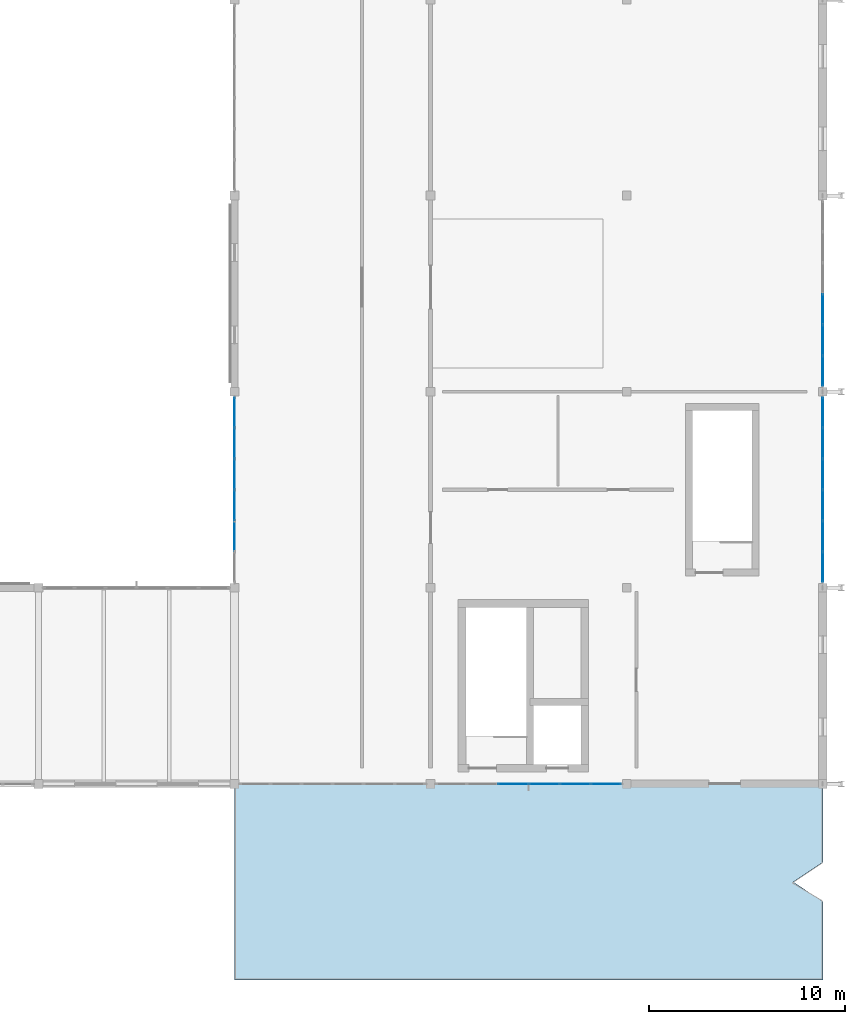
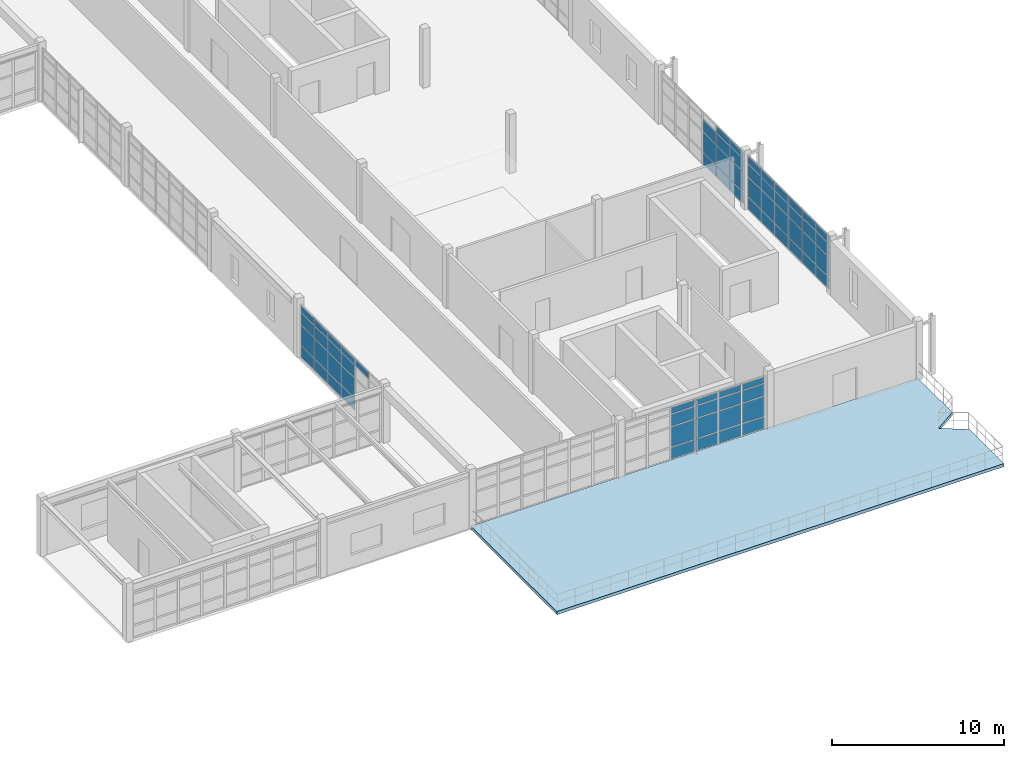
# One storey, part 90 of 122: 68 plates, 1 slab, 4 elements without a shape of their own.
"""IFC4 building model written with IfcOpenShell, lengths in metres."""

from ifc_helpers import new_model, si_unit, direction, frame, origin, origin_2d, place, context, subcontext, project, spatial, polyline, rectangle, outline, extrude, material, layer, layer_set, type_object, element, aggregate, save


model = new_model("IFC4")

# Units and contexts
model_context = context("Model", 3, precision=1e-05, world=origin(), true_north=direction((0.0, 1.0)))
body_context = subcontext(model_context, "Body", "Model", "MODEL_VIEW")
ifc_project = project(units=[si_unit("LENGTHUNIT", "METRE"), si_unit("AREAUNIT", "SQUARE_METRE"), si_unit("VOLUMEUNIT", "CUBIC_METRE"), si_unit("PLANEANGLEUNIT", "RADIAN"), si_unit("MASSUNIT", "GRAM", prefix="KILO"), si_unit("THERMODYNAMICTEMPERATUREUNIT", "KELVIN"), si_unit("POWERUNIT", "WATT")], contexts=[model_context])

# Site, building, storey
site_placement = place(None, origin())
site = spatial("IfcSite", under=ifc_project, at=site_placement, CompositionType="ELEMENT")
building_placement = place(site_placement, origin())
building = spatial("IfcBuilding", under=site, at=building_placement, Name="Korenveer Ferry Terminal", CompositionType="ELEMENT")
storey_placement = place(building_placement, frame((0.0, 0.0, 10.199951171875)))
storey = spatial("IfcBuildingStorey", under=building, at=storey_placement, Name="L02", CompositionType="ELEMENT", Elevation=10.199951171875)

# Curtain wall, plates
ifc_material_1 = material(Name="Unitised bronze-and-glass curtain wall", Category="glass")
ifc_layer_1 = layer(ifc_material_1, 0.159912109375)
ifc_layer_set_1 = layer_set([ifc_layer_1], Name="Unitised bronze-and-glass curtain wall")
curtain_wall_type_1 = type_object("IfcCurtainWallType", Name="ENV-CW-87", PredefinedType="USERDEFINED", material=ifc_layer_set_1)
curtain_wall_1_placement = place(storey_placement, frame((156.2548828125, 20.0, 0.0)))
curtain_wall_1 = element("IfcCurtainWall", 1, at=curtain_wall_1_placement, inside=storey, type_object=curtain_wall_type_1, Name="Lancet curtain wall CWX-L02-X156-166-Y20-20", ObjectType="UNITISED CURTAIN WALL", PredefinedType="USERDEFINED")
ifc_material_2 = material(Name="Low-iron solar-control double glazing", Category="glass")
ifc_layer_2 = layer(ifc_material_2, 0.028076171875)
ifc_layer_set_2 = layer_set([ifc_layer_2], Name="Low-iron solar-control double glazing")
plate_type = type_object("IfcPlateType", Name="ENV-CWP-GLZ28", PredefinedType="CURTAIN_PANEL", material=ifc_layer_set_2)
plate_1_placement = place(storey_placement, frame((160.209228515625, 20.0, 0.06005859375), z_axis=(0.0, 0.0, 1.0), x_axis=(1.0, 0.0, 0.0)))
plate_1 = element("IfcPlate", 2, at=plate_1_placement, type_object=plate_type, Name="CW-87 panel 3.1", PredefinedType="CURTAIN_PANEL", context=body_context, shape_type="SweptSolid", body=[
    extrude(rectangle(XDim=1.521728515625, YDim=0.028076171875, at=origin_2d()), origin(), (0.0, 0.0, 1.0), 0.81005859375),
])
plate_2_placement = place(storey_placement, frame((160.209228515625, 20.0, 0.93017578125), z_axis=(0.0, 0.0, 1.0), x_axis=(1.0, 0.0, 0.0)))
plate_2 = element("IfcPlate", 3, at=plate_2_placement, type_object=plate_type, Name="CW-87 panel 3.2", PredefinedType="CURTAIN_PANEL", context=body_context, shape_type="SweptSolid", body=[
    extrude(rectangle(XDim=1.521728515625, YDim=0.028076171875, at=origin_2d()), origin(), (0.0, 0.0, 1.0), 1.389892578125),
])
plate_3_placement = place(storey_placement, frame((160.209228515625, 20.0, 2.3798828125), z_axis=(0.0, 0.0, 1.0), x_axis=(1.0, 0.0, 0.0)))
plate_3 = element("IfcPlate", 4, at=plate_3_placement, type_object=plate_type, Name="CW-87 panel 3.3", PredefinedType="CURTAIN_PANEL", context=body_context, shape_type="SweptSolid", body=[
    extrude(rectangle(XDim=1.521728515625, YDim=0.028076171875, at=origin_2d()), origin(), (0.0, 0.0, 1.0), 0.840087890625),
])
plate_4_placement = place(storey_placement, frame((160.209228515625, 20.0, 3.280029296875), z_axis=(0.0, 0.0, 1.0), x_axis=(1.0, 0.0, 0.0)))
plate_4 = element("IfcPlate", 5, at=plate_4_placement, type_object=plate_type, Name="CW-87 panel 3.4", PredefinedType="CURTAIN_PANEL", context=body_context, shape_type="SweptSolid", body=[
    extrude(rectangle(XDim=1.521728515625, YDim=0.028076171875, at=origin_2d()), origin(), (0.0, 0.0, 1.0), 0.419921875),
])
plate_5_placement = place(storey_placement, frame((161.790771484375, 20.0, 0.06005859375), z_axis=(0.0, 0.0, 1.0), x_axis=(1.0, 0.0, 0.0)))
plate_5 = element("IfcPlate", 6, at=plate_5_placement, type_object=plate_type, Name="CW-87 panel 4.1", PredefinedType="CURTAIN_PANEL", context=body_context, shape_type="SweptSolid", body=[
    extrude(rectangle(XDim=1.521728515625, YDim=0.028076171875, at=origin_2d()), origin(), (0.0, 0.0, 1.0), 0.81005859375),
])
plate_6_placement = place(storey_placement, frame((161.790771484375, 20.0, 0.93017578125), z_axis=(0.0, 0.0, 1.0), x_axis=(1.0, 0.0, 0.0)))
plate_6 = element("IfcPlate", 7, at=plate_6_placement, type_object=plate_type, Name="CW-87 panel 4.2", PredefinedType="CURTAIN_PANEL", context=body_context, shape_type="SweptSolid", body=[
    extrude(rectangle(XDim=1.521728515625, YDim=0.028076171875, at=origin_2d()), origin(), (0.0, 0.0, 1.0), 1.389892578125),
])
plate_7_placement = place(storey_placement, frame((161.790771484375, 20.0, 2.3798828125), z_axis=(0.0, 0.0, 1.0), x_axis=(1.0, 0.0, 0.0)))
plate_7 = element("IfcPlate", 8, at=plate_7_placement, type_object=plate_type, Name="CW-87 panel 4.3", PredefinedType="CURTAIN_PANEL", context=body_context, shape_type="SweptSolid", body=[
    extrude(rectangle(XDim=1.521728515625, YDim=0.028076171875, at=origin_2d()), origin(), (0.0, 0.0, 1.0), 0.840087890625),
])
plate_8_placement = place(storey_placement, frame((161.790771484375, 20.0, 3.280029296875), z_axis=(0.0, 0.0, 1.0), x_axis=(1.0, 0.0, 0.0)))
plate_8 = element("IfcPlate", 9, at=plate_8_placement, type_object=plate_type, Name="CW-87 panel 4.4", PredefinedType="CURTAIN_PANEL", context=body_context, shape_type="SweptSolid", body=[
    extrude(rectangle(XDim=1.521728515625, YDim=0.028076171875, at=origin_2d()), origin(), (0.0, 0.0, 1.0), 0.419921875),
])
plate_9_placement = place(storey_placement, frame((163.37255859375, 20.0, 0.06005859375), z_axis=(0.0, 0.0, 1.0), x_axis=(1.0, 0.0, 0.0)))
plate_9 = element("IfcPlate", 10, at=plate_9_placement, type_object=plate_type, Name="CW-87 panel 5.1", PredefinedType="CURTAIN_PANEL", context=body_context, shape_type="SweptSolid", body=[
    extrude(rectangle(XDim=1.521728515625, YDim=0.028076171875, at=origin_2d()), origin(), (0.0, 0.0, 1.0), 0.81005859375),
])
plate_10_placement = place(storey_placement, frame((163.37255859375, 20.0, 0.93017578125), z_axis=(0.0, 0.0, 1.0), x_axis=(1.0, 0.0, 0.0)))
plate_10 = element("IfcPlate", 11, at=plate_10_placement, type_object=plate_type, Name="CW-87 panel 5.2", PredefinedType="CURTAIN_PANEL", context=body_context, shape_type="SweptSolid", body=[
    extrude(rectangle(XDim=1.521728515625, YDim=0.028076171875, at=origin_2d()), origin(), (0.0, 0.0, 1.0), 1.389892578125),
])
plate_11_placement = place(storey_placement, frame((163.37255859375, 20.0, 2.3798828125), z_axis=(0.0, 0.0, 1.0), x_axis=(1.0, 0.0, 0.0)))
plate_11 = element("IfcPlate", 12, at=plate_11_placement, type_object=plate_type, Name="CW-87 panel 5.3", PredefinedType="CURTAIN_PANEL", context=body_context, shape_type="SweptSolid", body=[
    extrude(rectangle(XDim=1.521728515625, YDim=0.028076171875, at=origin_2d()), origin(), (0.0, 0.0, 1.0), 0.840087890625),
])
plate_12_placement = place(storey_placement, frame((163.37255859375, 20.0, 3.280029296875), z_axis=(0.0, 0.0, 1.0), x_axis=(1.0, 0.0, 0.0)))
plate_12 = element("IfcPlate", 13, at=plate_12_placement, type_object=plate_type, Name="CW-87 panel 5.4", PredefinedType="CURTAIN_PANEL", context=body_context, shape_type="SweptSolid", body=[
    extrude(rectangle(XDim=1.521728515625, YDim=0.028076171875, at=origin_2d()), origin(), (0.0, 0.0, 1.0), 0.419921875),
])
plate_13_placement = place(storey_placement, frame((164.939208984375, 20.0, 0.06005859375), z_axis=(0.0, 0.0, 1.0), x_axis=(1.0, 0.0, 0.0)))
plate_13 = element("IfcPlate", 14, at=plate_13_placement, type_object=plate_type, Name="CW-87 panel 6.1", PredefinedType="CURTAIN_PANEL", context=body_context, shape_type="SweptSolid", body=[
    extrude(rectangle(XDim=1.49169921875, YDim=0.028076171875, at=origin_2d()), origin(), (0.0, 0.0, 1.0), 0.81005859375),
])
plate_14_placement = place(storey_placement, frame((164.939208984375, 20.0, 0.93017578125), z_axis=(0.0, 0.0, 1.0), x_axis=(1.0, 0.0, 0.0)))
plate_14 = element("IfcPlate", 15, at=plate_14_placement, type_object=plate_type, Name="CW-87 panel 6.2", PredefinedType="CURTAIN_PANEL", context=body_context, shape_type="SweptSolid", body=[
    extrude(rectangle(XDim=1.49169921875, YDim=0.028076171875, at=origin_2d()), origin(), (0.0, 0.0, 1.0), 1.389892578125),
])
plate_15_placement = place(storey_placement, frame((164.939208984375, 20.0, 2.3798828125), z_axis=(0.0, 0.0, 1.0), x_axis=(1.0, 0.0, 0.0)))
plate_15 = element("IfcPlate", 16, at=plate_15_placement, type_object=plate_type, Name="CW-87 panel 6.3", PredefinedType="CURTAIN_PANEL", context=body_context, shape_type="SweptSolid", body=[
    extrude(rectangle(XDim=1.49169921875, YDim=0.028076171875, at=origin_2d()), origin(), (0.0, 0.0, 1.0), 0.840087890625),
])
plate_16_placement = place(storey_placement, frame((164.939208984375, 20.0, 3.280029296875), z_axis=(0.0, 0.0, 1.0), x_axis=(1.0, 0.0, 0.0)))
plate_16 = element("IfcPlate", 17, at=plate_16_placement, type_object=plate_type, Name="CW-87 panel 6.4", PredefinedType="CURTAIN_PANEL", context=body_context, shape_type="SweptSolid", body=[
    extrude(rectangle(XDim=1.49169921875, YDim=0.028076171875, at=origin_2d()), origin(), (0.0, 0.0, 1.0), 0.419921875),
])
aggregate(curtain_wall_1, [plate_1, plate_2, plate_3, plate_4, plate_5, plate_6, plate_7, plate_8, plate_9, plate_10, plate_11, plate_12, plate_13, plate_14, plate_15, plate_16])

curtain_wall_2_placement = place(storey_placement, frame((146.0, 30.2548828125, 0.0)))
curtain_wall_2 = element("IfcCurtainWall", 18, at=curtain_wall_2_placement, inside=storey, type_object=curtain_wall_type_1, Name="Lancet curtain wall CWX-L02-X146-146-Y30-40", ObjectType="UNITISED CURTAIN WALL", PredefinedType="USERDEFINED")
plate_17_placement = place(storey_placement, frame((146.0, 32.62744140625, 3.280029296875), z_axis=(0.0, 0.0, 1.0), x_axis=(0.0, 1.0, 0.0)))
plate_17 = element("IfcPlate", 19, at=plate_17_placement, type_object=plate_type, Name="CW-87 panel 2.4", PredefinedType="CURTAIN_PANEL", context=body_context, shape_type="SweptSolid", body=[
    extrude(rectangle(XDim=1.521728515625, YDim=0.028076171875, at=origin_2d()), origin(), (0.0, 0.0, 1.0), 0.419921875),
])
plate_18_placement = place(storey_placement, frame((146.0, 34.209228515625, 0.06005859375), z_axis=(0.0, 0.0, 1.0), x_axis=(0.0, 1.0, 0.0)))
plate_18 = element("IfcPlate", 20, at=plate_18_placement, type_object=plate_type, Name="CW-87 panel 3.1", PredefinedType="CURTAIN_PANEL", context=body_context, shape_type="SweptSolid", body=[
    extrude(rectangle(XDim=1.521728515625, YDim=0.028076171875, at=origin_2d()), origin(), (0.0, 0.0, 1.0), 0.81005859375),
])
plate_19_placement = place(storey_placement, frame((146.0, 34.209228515625, 0.93017578125), z_axis=(0.0, 0.0, 1.0), x_axis=(0.0, 1.0, 0.0)))
plate_19 = element("IfcPlate", 21, at=plate_19_placement, type_object=plate_type, Name="CW-87 panel 3.2", PredefinedType="CURTAIN_PANEL", context=body_context, shape_type="SweptSolid", body=[
    extrude(rectangle(XDim=1.521728515625, YDim=0.028076171875, at=origin_2d()), origin(), (0.0, 0.0, 1.0), 1.389892578125),
])
plate_20_placement = place(storey_placement, frame((146.0, 34.209228515625, 2.3798828125), z_axis=(0.0, 0.0, 1.0), x_axis=(0.0, 1.0, 0.0)))
plate_20 = element("IfcPlate", 22, at=plate_20_placement, type_object=plate_type, Name="CW-87 panel 3.3", PredefinedType="CURTAIN_PANEL", context=body_context, shape_type="SweptSolid", body=[
    extrude(rectangle(XDim=1.521728515625, YDim=0.028076171875, at=origin_2d()), origin(), (0.0, 0.0, 1.0), 0.840087890625),
])
plate_21_placement = place(storey_placement, frame((146.0, 34.209228515625, 3.280029296875), z_axis=(0.0, 0.0, 1.0), x_axis=(0.0, 1.0, 0.0)))
plate_21 = element("IfcPlate", 23, at=plate_21_placement, type_object=plate_type, Name="CW-87 panel 3.4", PredefinedType="CURTAIN_PANEL", context=body_context, shape_type="SweptSolid", body=[
    extrude(rectangle(XDim=1.521728515625, YDim=0.028076171875, at=origin_2d()), origin(), (0.0, 0.0, 1.0), 0.419921875),
])
plate_22_placement = place(storey_placement, frame((146.0, 35.790771484375, 0.06005859375), z_axis=(0.0, 0.0, 1.0), x_axis=(0.0, 1.0, 0.0)))
plate_22 = element("IfcPlate", 24, at=plate_22_placement, type_object=plate_type, Name="CW-87 panel 4.1", PredefinedType="CURTAIN_PANEL", context=body_context, shape_type="SweptSolid", body=[
    extrude(rectangle(XDim=1.521728515625, YDim=0.028076171875, at=origin_2d()), origin(), (0.0, 0.0, 1.0), 0.81005859375),
])
plate_23_placement = place(storey_placement, frame((146.0, 35.790771484375, 0.93017578125), z_axis=(0.0, 0.0, 1.0), x_axis=(0.0, 1.0, 0.0)))
plate_23 = element("IfcPlate", 25, at=plate_23_placement, type_object=plate_type, Name="CW-87 panel 4.2", PredefinedType="CURTAIN_PANEL", context=body_context, shape_type="SweptSolid", body=[
    extrude(rectangle(XDim=1.521728515625, YDim=0.028076171875, at=origin_2d()), origin(), (0.0, 0.0, 1.0), 1.389892578125),
])
plate_24_placement = place(storey_placement, frame((146.0, 35.790771484375, 2.3798828125), z_axis=(0.0, 0.0, 1.0), x_axis=(0.0, 1.0, 0.0)))
plate_24 = element("IfcPlate", 26, at=plate_24_placement, type_object=plate_type, Name="CW-87 panel 4.3", PredefinedType="CURTAIN_PANEL", context=body_context, shape_type="SweptSolid", body=[
    extrude(rectangle(XDim=1.521728515625, YDim=0.028076171875, at=origin_2d()), origin(), (0.0, 0.0, 1.0), 0.840087890625),
])
plate_25_placement = place(storey_placement, frame((146.0, 35.790771484375, 3.280029296875), z_axis=(0.0, 0.0, 1.0), x_axis=(0.0, 1.0, 0.0)))
plate_25 = element("IfcPlate", 27, at=plate_25_placement, type_object=plate_type, Name="CW-87 panel 4.4", PredefinedType="CURTAIN_PANEL", context=body_context, shape_type="SweptSolid", body=[
    extrude(rectangle(XDim=1.521728515625, YDim=0.028076171875, at=origin_2d()), origin(), (0.0, 0.0, 1.0), 0.419921875),
])
plate_26_placement = place(storey_placement, frame((146.0, 37.37255859375, 0.06005859375), z_axis=(0.0, 0.0, 1.0), x_axis=(0.0, 1.0, 0.0)))
plate_26 = element("IfcPlate", 28, at=plate_26_placement, type_object=plate_type, Name="CW-87 panel 5.1", PredefinedType="CURTAIN_PANEL", context=body_context, shape_type="SweptSolid", body=[
    extrude(rectangle(XDim=1.521728515625, YDim=0.028076171875, at=origin_2d()), origin(), (0.0, 0.0, 1.0), 0.81005859375),
])
plate_27_placement = place(storey_placement, frame((146.0, 37.37255859375, 0.93017578125), z_axis=(0.0, 0.0, 1.0), x_axis=(0.0, 1.0, 0.0)))
plate_27 = element("IfcPlate", 29, at=plate_27_placement, type_object=plate_type, Name="CW-87 panel 5.2", PredefinedType="CURTAIN_PANEL", context=body_context, shape_type="SweptSolid", body=[
    extrude(rectangle(XDim=1.521728515625, YDim=0.028076171875, at=origin_2d()), origin(), (0.0, 0.0, 1.0), 1.389892578125),
])
plate_28_placement = place(storey_placement, frame((146.0, 37.37255859375, 2.3798828125), z_axis=(0.0, 0.0, 1.0), x_axis=(0.0, 1.0, 0.0)))
plate_28 = element("IfcPlate", 30, at=plate_28_placement, type_object=plate_type, Name="CW-87 panel 5.3", PredefinedType="CURTAIN_PANEL", context=body_context, shape_type="SweptSolid", body=[
    extrude(rectangle(XDim=1.521728515625, YDim=0.028076171875, at=origin_2d()), origin(), (0.0, 0.0, 1.0), 0.840087890625),
])
plate_29_placement = place(storey_placement, frame((146.0, 37.37255859375, 3.280029296875), z_axis=(0.0, 0.0, 1.0), x_axis=(0.0, 1.0, 0.0)))
plate_29 = element("IfcPlate", 31, at=plate_29_placement, type_object=plate_type, Name="CW-87 panel 5.4", PredefinedType="CURTAIN_PANEL", context=body_context, shape_type="SweptSolid", body=[
    extrude(rectangle(XDim=1.521728515625, YDim=0.028076171875, at=origin_2d()), origin(), (0.0, 0.0, 1.0), 0.419921875),
])
plate_30_placement = place(storey_placement, frame((146.0, 38.939208984375, 0.06005859375), z_axis=(0.0, 0.0, 1.0), x_axis=(0.0, 1.0, 0.0)))
plate_30 = element("IfcPlate", 32, at=plate_30_placement, type_object=plate_type, Name="CW-87 panel 6.1", PredefinedType="CURTAIN_PANEL", context=body_context, shape_type="SweptSolid", body=[
    extrude(rectangle(XDim=1.49169921875, YDim=0.028076171875, at=origin_2d()), origin(), (0.0, 0.0, 1.0), 0.81005859375),
])
plate_31_placement = place(storey_placement, frame((146.0, 38.939208984375, 0.93017578125), z_axis=(0.0, 0.0, 1.0), x_axis=(0.0, 1.0, 0.0)))
plate_31 = element("IfcPlate", 33, at=plate_31_placement, type_object=plate_type, Name="CW-87 panel 6.2", PredefinedType="CURTAIN_PANEL", context=body_context, shape_type="SweptSolid", body=[
    extrude(rectangle(XDim=1.49169921875, YDim=0.028076171875, at=origin_2d()), origin(), (0.0, 0.0, 1.0), 1.389892578125),
])
plate_32_placement = place(storey_placement, frame((146.0, 38.939208984375, 2.3798828125), z_axis=(0.0, 0.0, 1.0), x_axis=(0.0, 1.0, 0.0)))
plate_32 = element("IfcPlate", 34, at=plate_32_placement, type_object=plate_type, Name="CW-87 panel 6.3", PredefinedType="CURTAIN_PANEL", context=body_context, shape_type="SweptSolid", body=[
    extrude(rectangle(XDim=1.49169921875, YDim=0.028076171875, at=origin_2d()), origin(), (0.0, 0.0, 1.0), 0.840087890625),
])
plate_33_placement = place(storey_placement, frame((146.0, 38.939208984375, 3.280029296875), z_axis=(0.0, 0.0, 1.0), x_axis=(0.0, 1.0, 0.0)))
plate_33 = element("IfcPlate", 35, at=plate_33_placement, type_object=plate_type, Name="CW-87 panel 6.4", PredefinedType="CURTAIN_PANEL", context=body_context, shape_type="SweptSolid", body=[
    extrude(rectangle(XDim=1.49169921875, YDim=0.028076171875, at=origin_2d()), origin(), (0.0, 0.0, 1.0), 0.419921875),
])
aggregate(curtain_wall_2, [plate_17, plate_18, plate_19, plate_20, plate_21, plate_22, plate_23, plate_24, plate_25, plate_26, plate_27, plate_28, plate_29, plate_30, plate_31, plate_32, plate_33])

ifc_layer_3 = layer(ifc_material_1, 0.159912109375)
ifc_layer_set_3 = layer_set([ifc_layer_3], Name="Unitised bronze-and-glass curtain wall")
curtain_wall_type_2 = type_object("IfcCurtainWallType", Name="ENV-CW-86", PredefinedType="USERDEFINED", material=ifc_layer_set_3)
curtain_wall_3_placement = place(storey_placement, frame((176.0, 39.7451171875, 0.0)))
curtain_wall_3 = element("IfcCurtainWall", 36, at=curtain_wall_3_placement, inside=storey, type_object=curtain_wall_type_2, Name="Lancet curtain wall CWX-L02-X176-176-Y30-40", ObjectType="UNITISED CURTAIN WALL", PredefinedType="USERDEFINED")
plate_34_placement = place(storey_placement, frame((176.0, 38.939208984375, 0.06005859375), z_axis=(0.0, 0.0, 1.0), x_axis=(0.0, -1.0, 0.0)))
plate_34 = element("IfcPlate", 37, at=plate_34_placement, type_object=plate_type, Name="CW-86 panel 1.1", PredefinedType="CURTAIN_PANEL", context=body_context, shape_type="SweptSolid", body=[
    extrude(rectangle(XDim=1.49169921875, YDim=0.028076171875, at=origin_2d()), origin(), (0.0, 0.0, 1.0), 0.81005859375),
])
plate_35_placement = place(storey_placement, frame((176.0, 38.939208984375, 0.93017578125), z_axis=(0.0, 0.0, 1.0), x_axis=(0.0, -1.0, 0.0)))
plate_35 = element("IfcPlate", 38, at=plate_35_placement, type_object=plate_type, Name="CW-86 panel 1.2", PredefinedType="CURTAIN_PANEL", context=body_context, shape_type="SweptSolid", body=[
    extrude(rectangle(XDim=1.49169921875, YDim=0.028076171875, at=origin_2d()), origin(), (0.0, 0.0, 1.0), 1.389892578125),
])
plate_36_placement = place(storey_placement, frame((176.0, 38.939208984375, 2.3798828125), z_axis=(0.0, 0.0, 1.0), x_axis=(0.0, -1.0, 0.0)))
plate_36 = element("IfcPlate", 39, at=plate_36_placement, type_object=plate_type, Name="CW-86 panel 1.3", PredefinedType="CURTAIN_PANEL", context=body_context, shape_type="SweptSolid", body=[
    extrude(rectangle(XDim=1.49169921875, YDim=0.028076171875, at=origin_2d()), origin(), (0.0, 0.0, 1.0), 0.840087890625),
])
plate_37_placement = place(storey_placement, frame((176.0, 38.939208984375, 3.280029296875), z_axis=(0.0, 0.0, 1.0), x_axis=(0.0, -1.0, 0.0)))
plate_37 = element("IfcPlate", 40, at=plate_37_placement, type_object=plate_type, Name="CW-86 panel 1.4", PredefinedType="CURTAIN_PANEL", context=body_context, shape_type="SweptSolid", body=[
    extrude(rectangle(XDim=1.49169921875, YDim=0.028076171875, at=origin_2d()), origin(), (0.0, 0.0, 1.0), 0.52001953125),
])
plate_38_placement = place(storey_placement, frame((176.0, 37.37255859375, 0.06005859375), z_axis=(0.0, 0.0, 1.0), x_axis=(0.0, -1.0, 0.0)))
plate_38 = element("IfcPlate", 41, at=plate_38_placement, type_object=plate_type, Name="CW-86 panel 2.1", PredefinedType="CURTAIN_PANEL", context=body_context, shape_type="SweptSolid", body=[
    extrude(rectangle(XDim=1.521728515625, YDim=0.028076171875, at=origin_2d()), origin(), (0.0, 0.0, 1.0), 0.81005859375),
])
plate_39_placement = place(storey_placement, frame((176.0, 37.37255859375, 0.93017578125), z_axis=(0.0, 0.0, 1.0), x_axis=(0.0, -1.0, 0.0)))
plate_39 = element("IfcPlate", 42, at=plate_39_placement, type_object=plate_type, Name="CW-86 panel 2.2", PredefinedType="CURTAIN_PANEL", context=body_context, shape_type="SweptSolid", body=[
    extrude(rectangle(XDim=1.521728515625, YDim=0.028076171875, at=origin_2d()), origin(), (0.0, 0.0, 1.0), 1.389892578125),
])
plate_40_placement = place(storey_placement, frame((176.0, 37.37255859375, 2.3798828125), z_axis=(0.0, 0.0, 1.0), x_axis=(0.0, -1.0, 0.0)))
plate_40 = element("IfcPlate", 43, at=plate_40_placement, type_object=plate_type, Name="CW-86 panel 2.3", PredefinedType="CURTAIN_PANEL", context=body_context, shape_type="SweptSolid", body=[
    extrude(rectangle(XDim=1.521728515625, YDim=0.028076171875, at=origin_2d()), origin(), (0.0, 0.0, 1.0), 0.840087890625),
])
plate_41_placement = place(storey_placement, frame((176.0, 37.37255859375, 3.280029296875), z_axis=(0.0, 0.0, 1.0), x_axis=(0.0, -1.0, 0.0)))
plate_41 = element("IfcPlate", 44, at=plate_41_placement, type_object=plate_type, Name="CW-86 panel 2.4", PredefinedType="CURTAIN_PANEL", context=body_context, shape_type="SweptSolid", body=[
    extrude(rectangle(XDim=1.521728515625, YDim=0.028076171875, at=origin_2d()), origin(), (0.0, 0.0, 1.0), 0.52001953125),
])
plate_42_placement = place(storey_placement, frame((176.0, 35.790771484375, 0.06005859375), z_axis=(0.0, 0.0, 1.0), x_axis=(0.0, -1.0, 0.0)))
plate_42 = element("IfcPlate", 45, at=plate_42_placement, type_object=plate_type, Name="CW-86 panel 3.1", PredefinedType="CURTAIN_PANEL", context=body_context, shape_type="SweptSolid", body=[
    extrude(rectangle(XDim=1.521728515625, YDim=0.028076171875, at=origin_2d()), origin(), (0.0, 0.0, 1.0), 0.81005859375),
])
plate_43_placement = place(storey_placement, frame((176.0, 35.790771484375, 0.93017578125), z_axis=(0.0, 0.0, 1.0), x_axis=(0.0, -1.0, 0.0)))
plate_43 = element("IfcPlate", 46, at=plate_43_placement, type_object=plate_type, Name="CW-86 panel 3.2", PredefinedType="CURTAIN_PANEL", context=body_context, shape_type="SweptSolid", body=[
    extrude(rectangle(XDim=1.521728515625, YDim=0.028076171875, at=origin_2d()), origin(), (0.0, 0.0, 1.0), 1.389892578125),
])
plate_44_placement = place(storey_placement, frame((176.0, 35.790771484375, 2.3798828125), z_axis=(0.0, 0.0, 1.0), x_axis=(0.0, -1.0, 0.0)))
plate_44 = element("IfcPlate", 47, at=plate_44_placement, type_object=plate_type, Name="CW-86 panel 3.3", PredefinedType="CURTAIN_PANEL", context=body_context, shape_type="SweptSolid", body=[
    extrude(rectangle(XDim=1.521728515625, YDim=0.028076171875, at=origin_2d()), origin(), (0.0, 0.0, 1.0), 0.840087890625),
])
plate_45_placement = place(storey_placement, frame((176.0, 35.790771484375, 3.280029296875), z_axis=(0.0, 0.0, 1.0), x_axis=(0.0, -1.0, 0.0)))
plate_45 = element("IfcPlate", 48, at=plate_45_placement, type_object=plate_type, Name="CW-86 panel 3.4", PredefinedType="CURTAIN_PANEL", context=body_context, shape_type="SweptSolid", body=[
    extrude(rectangle(XDim=1.521728515625, YDim=0.028076171875, at=origin_2d()), origin(), (0.0, 0.0, 1.0), 0.52001953125),
])
plate_46_placement = place(storey_placement, frame((176.0, 34.209228515625, 0.06005859375), z_axis=(0.0, 0.0, 1.0), x_axis=(0.0, -1.0, 0.0)))
plate_46 = element("IfcPlate", 49, at=plate_46_placement, type_object=plate_type, Name="CW-86 panel 4.1", PredefinedType="CURTAIN_PANEL", context=body_context, shape_type="SweptSolid", body=[
    extrude(rectangle(XDim=1.521728515625, YDim=0.028076171875, at=origin_2d()), origin(), (0.0, 0.0, 1.0), 0.81005859375),
])
plate_47_placement = place(storey_placement, frame((176.0, 34.209228515625, 0.93017578125), z_axis=(0.0, 0.0, 1.0), x_axis=(0.0, -1.0, 0.0)))
plate_47 = element("IfcPlate", 50, at=plate_47_placement, type_object=plate_type, Name="CW-86 panel 4.2", PredefinedType="CURTAIN_PANEL", context=body_context, shape_type="SweptSolid", body=[
    extrude(rectangle(XDim=1.521728515625, YDim=0.028076171875, at=origin_2d()), origin(), (0.0, 0.0, 1.0), 1.389892578125),
])
plate_48_placement = place(storey_placement, frame((176.0, 34.209228515625, 2.3798828125), z_axis=(0.0, 0.0, 1.0), x_axis=(0.0, -1.0, 0.0)))
plate_48 = element("IfcPlate", 51, at=plate_48_placement, type_object=plate_type, Name="CW-86 panel 4.3", PredefinedType="CURTAIN_PANEL", context=body_context, shape_type="SweptSolid", body=[
    extrude(rectangle(XDim=1.521728515625, YDim=0.028076171875, at=origin_2d()), origin(), (0.0, 0.0, 1.0), 0.840087890625),
])
plate_49_placement = place(storey_placement, frame((176.0, 34.209228515625, 3.280029296875), z_axis=(0.0, 0.0, 1.0), x_axis=(0.0, -1.0, 0.0)))
plate_49 = element("IfcPlate", 52, at=plate_49_placement, type_object=plate_type, Name="CW-86 panel 4.4", PredefinedType="CURTAIN_PANEL", context=body_context, shape_type="SweptSolid", body=[
    extrude(rectangle(XDim=1.521728515625, YDim=0.028076171875, at=origin_2d()), origin(), (0.0, 0.0, 1.0), 0.52001953125),
])
plate_50_placement = place(storey_placement, frame((176.0, 32.62744140625, 0.06005859375), z_axis=(0.0, 0.0, 1.0), x_axis=(0.0, -1.0, 0.0)))
plate_50 = element("IfcPlate", 53, at=plate_50_placement, type_object=plate_type, Name="CW-86 panel 5.1", PredefinedType="CURTAIN_PANEL", context=body_context, shape_type="SweptSolid", body=[
    extrude(rectangle(XDim=1.521728515625, YDim=0.028076171875, at=origin_2d()), origin(), (0.0, 0.0, 1.0), 0.81005859375),
])
plate_51_placement = place(storey_placement, frame((176.0, 32.62744140625, 0.93017578125), z_axis=(0.0, 0.0, 1.0), x_axis=(0.0, -1.0, 0.0)))
plate_51 = element("IfcPlate", 54, at=plate_51_placement, type_object=plate_type, Name="CW-86 panel 5.2", PredefinedType="CURTAIN_PANEL", context=body_context, shape_type="SweptSolid", body=[
    extrude(rectangle(XDim=1.521728515625, YDim=0.028076171875, at=origin_2d()), origin(), (0.0, 0.0, 1.0), 1.389892578125),
])
plate_52_placement = place(storey_placement, frame((176.0, 32.62744140625, 2.3798828125), z_axis=(0.0, 0.0, 1.0), x_axis=(0.0, -1.0, 0.0)))
plate_52 = element("IfcPlate", 55, at=plate_52_placement, type_object=plate_type, Name="CW-86 panel 5.3", PredefinedType="CURTAIN_PANEL", context=body_context, shape_type="SweptSolid", body=[
    extrude(rectangle(XDim=1.521728515625, YDim=0.028076171875, at=origin_2d()), origin(), (0.0, 0.0, 1.0), 0.840087890625),
])
plate_53_placement = place(storey_placement, frame((176.0, 32.62744140625, 3.280029296875), z_axis=(0.0, 0.0, 1.0), x_axis=(0.0, -1.0, 0.0)))
plate_53 = element("IfcPlate", 56, at=plate_53_placement, type_object=plate_type, Name="CW-86 panel 5.4", PredefinedType="CURTAIN_PANEL", context=body_context, shape_type="SweptSolid", body=[
    extrude(rectangle(XDim=1.521728515625, YDim=0.028076171875, at=origin_2d()), origin(), (0.0, 0.0, 1.0), 0.52001953125),
])
plate_54_placement = place(storey_placement, frame((176.0, 31.060791015625, 0.06005859375), z_axis=(0.0, 0.0, 1.0), x_axis=(0.0, -1.0, 0.0)))
plate_54 = element("IfcPlate", 57, at=plate_54_placement, type_object=plate_type, Name="CW-86 panel 6.1", PredefinedType="CURTAIN_PANEL", context=body_context, shape_type="SweptSolid", body=[
    extrude(rectangle(XDim=1.49169921875, YDim=0.028076171875, at=origin_2d()), origin(), (0.0, 0.0, 1.0), 0.81005859375),
])
plate_55_placement = place(storey_placement, frame((176.0, 31.060791015625, 0.93017578125), z_axis=(0.0, 0.0, 1.0), x_axis=(0.0, -1.0, 0.0)))
plate_55 = element("IfcPlate", 58, at=plate_55_placement, type_object=plate_type, Name="CW-86 panel 6.2", PredefinedType="CURTAIN_PANEL", context=body_context, shape_type="SweptSolid", body=[
    extrude(rectangle(XDim=1.49169921875, YDim=0.028076171875, at=origin_2d()), origin(), (0.0, 0.0, 1.0), 1.389892578125),
])
plate_56_placement = place(storey_placement, frame((176.0, 31.060791015625, 2.3798828125), z_axis=(0.0, 0.0, 1.0), x_axis=(0.0, -1.0, 0.0)))
plate_56 = element("IfcPlate", 59, at=plate_56_placement, type_object=plate_type, Name="CW-86 panel 6.3", PredefinedType="CURTAIN_PANEL", context=body_context, shape_type="SweptSolid", body=[
    extrude(rectangle(XDim=1.49169921875, YDim=0.028076171875, at=origin_2d()), origin(), (0.0, 0.0, 1.0), 0.840087890625),
])
plate_57_placement = place(storey_placement, frame((176.0, 31.060791015625, 3.280029296875), z_axis=(0.0, 0.0, 1.0), x_axis=(0.0, -1.0, 0.0)))
plate_57 = element("IfcPlate", 60, at=plate_57_placement, type_object=plate_type, Name="CW-86 panel 6.4", PredefinedType="CURTAIN_PANEL", context=body_context, shape_type="SweptSolid", body=[
    extrude(rectangle(XDim=1.49169921875, YDim=0.028076171875, at=origin_2d()), origin(), (0.0, 0.0, 1.0), 0.52001953125),
])
aggregate(curtain_wall_3, [plate_34, plate_35, plate_36, plate_37, plate_38, plate_39, plate_40, plate_41, plate_42, plate_43, plate_44, plate_45, plate_46, plate_47, plate_48, plate_49, plate_50, plate_51, plate_52, plate_53, plate_54, plate_55, plate_56, plate_57])

curtain_wall_4_placement = place(storey_placement, frame((176.0, 49.7451171875, 0.0)))
curtain_wall_4 = element("IfcCurtainWall", 61, at=curtain_wall_4_placement, inside=storey, type_object=curtain_wall_type_1, Name="Lancet curtain wall CWX-L02-X176-176-Y40-50", ObjectType="UNITISED CURTAIN WALL", PredefinedType="USERDEFINED")
plate_58_placement = place(storey_placement, frame((176.0, 44.209228515625, 0.06005859375), z_axis=(0.0, 0.0, 1.0), x_axis=(0.0, -1.0, 0.0)))
plate_58 = element("IfcPlate", 62, at=plate_58_placement, type_object=plate_type, Name="CW-87 panel 4.1", PredefinedType="CURTAIN_PANEL", context=body_context, shape_type="SweptSolid", body=[
    extrude(rectangle(XDim=1.521728515625, YDim=0.028076171875, at=origin_2d()), origin(), (0.0, 0.0, 1.0), 0.81005859375),
])
plate_59_placement = place(storey_placement, frame((176.0, 44.209228515625, 0.93017578125), z_axis=(0.0, 0.0, 1.0), x_axis=(0.0, -1.0, 0.0)))
plate_59 = element("IfcPlate", 63, at=plate_59_placement, type_object=plate_type, Name="CW-87 panel 4.2", PredefinedType="CURTAIN_PANEL", context=body_context, shape_type="SweptSolid", body=[
    extrude(rectangle(XDim=1.521728515625, YDim=0.028076171875, at=origin_2d()), origin(), (0.0, 0.0, 1.0), 1.389892578125),
])
plate_60_placement = place(storey_placement, frame((176.0, 44.209228515625, 2.3798828125), z_axis=(0.0, 0.0, 1.0), x_axis=(0.0, -1.0, 0.0)))
plate_60 = element("IfcPlate", 64, at=plate_60_placement, type_object=plate_type, Name="CW-87 panel 4.3", PredefinedType="CURTAIN_PANEL", context=body_context, shape_type="SweptSolid", body=[
    extrude(rectangle(XDim=1.521728515625, YDim=0.028076171875, at=origin_2d()), origin(), (0.0, 0.0, 1.0), 0.840087890625),
])
plate_61_placement = place(storey_placement, frame((176.0, 42.62744140625, 0.06005859375), z_axis=(0.0, 0.0, 1.0), x_axis=(0.0, -1.0, 0.0)))
plate_61 = element("IfcPlate", 65, at=plate_61_placement, type_object=plate_type, Name="CW-87 panel 5.1", PredefinedType="CURTAIN_PANEL", context=body_context, shape_type="SweptSolid", body=[
    extrude(rectangle(XDim=1.521728515625, YDim=0.028076171875, at=origin_2d()), origin(), (0.0, 0.0, 1.0), 0.81005859375),
])
plate_62_placement = place(storey_placement, frame((176.0, 42.62744140625, 0.93017578125), z_axis=(0.0, 0.0, 1.0), x_axis=(0.0, -1.0, 0.0)))
plate_62 = element("IfcPlate", 66, at=plate_62_placement, type_object=plate_type, Name="CW-87 panel 5.2", PredefinedType="CURTAIN_PANEL", context=body_context, shape_type="SweptSolid", body=[
    extrude(rectangle(XDim=1.521728515625, YDim=0.028076171875, at=origin_2d()), origin(), (0.0, 0.0, 1.0), 1.389892578125),
])
plate_63_placement = place(storey_placement, frame((176.0, 42.62744140625, 2.3798828125), z_axis=(0.0, 0.0, 1.0), x_axis=(0.0, -1.0, 0.0)))
plate_63 = element("IfcPlate", 67, at=plate_63_placement, type_object=plate_type, Name="CW-87 panel 5.3", PredefinedType="CURTAIN_PANEL", context=body_context, shape_type="SweptSolid", body=[
    extrude(rectangle(XDim=1.521728515625, YDim=0.028076171875, at=origin_2d()), origin(), (0.0, 0.0, 1.0), 0.840087890625),
])
plate_64_placement = place(storey_placement, frame((176.0, 42.62744140625, 3.280029296875), z_axis=(0.0, 0.0, 1.0), x_axis=(0.0, -1.0, 0.0)))
plate_64 = element("IfcPlate", 68, at=plate_64_placement, type_object=plate_type, Name="CW-87 panel 5.4", PredefinedType="CURTAIN_PANEL", context=body_context, shape_type="SweptSolid", body=[
    extrude(rectangle(XDim=1.521728515625, YDim=0.028076171875, at=origin_2d()), origin(), (0.0, 0.0, 1.0), 0.419921875),
])
plate_65_placement = place(storey_placement, frame((176.0, 41.060791015625, 0.06005859375), z_axis=(0.0, 0.0, 1.0), x_axis=(0.0, -1.0, 0.0)))
plate_65 = element("IfcPlate", 69, at=plate_65_placement, type_object=plate_type, Name="CW-87 panel 6.1", PredefinedType="CURTAIN_PANEL", context=body_context, shape_type="SweptSolid", body=[
    extrude(rectangle(XDim=1.49169921875, YDim=0.028076171875, at=origin_2d()), origin(), (0.0, 0.0, 1.0), 0.81005859375),
])
plate_66_placement = place(storey_placement, frame((176.0, 41.060791015625, 0.93017578125), z_axis=(0.0, 0.0, 1.0), x_axis=(0.0, -1.0, 0.0)))
plate_66 = element("IfcPlate", 70, at=plate_66_placement, type_object=plate_type, Name="CW-87 panel 6.2", PredefinedType="CURTAIN_PANEL", context=body_context, shape_type="SweptSolid", body=[
    extrude(rectangle(XDim=1.49169921875, YDim=0.028076171875, at=origin_2d()), origin(), (0.0, 0.0, 1.0), 1.389892578125),
])
plate_67_placement = place(storey_placement, frame((176.0, 41.060791015625, 2.3798828125), z_axis=(0.0, 0.0, 1.0), x_axis=(0.0, -1.0, 0.0)))
plate_67 = element("IfcPlate", 71, at=plate_67_placement, type_object=plate_type, Name="CW-87 panel 6.3", PredefinedType="CURTAIN_PANEL", context=body_context, shape_type="SweptSolid", body=[
    extrude(rectangle(XDim=1.49169921875, YDim=0.028076171875, at=origin_2d()), origin(), (0.0, 0.0, 1.0), 0.840087890625),
])
plate_68_placement = place(storey_placement, frame((176.0, 41.060791015625, 3.280029296875), z_axis=(0.0, 0.0, 1.0), x_axis=(0.0, -1.0, 0.0)))
plate_68 = element("IfcPlate", 72, at=plate_68_placement, type_object=plate_type, Name="CW-87 panel 6.4", PredefinedType="CURTAIN_PANEL", context=body_context, shape_type="SweptSolid", body=[
    extrude(rectangle(XDim=1.49169921875, YDim=0.028076171875, at=origin_2d()), origin(), (0.0, 0.0, 1.0), 0.419921875),
])
aggregate(curtain_wall_4, [plate_58, plate_59, plate_60, plate_61, plate_62, plate_63, plate_64, plate_65, plate_66, plate_67, plate_68])

# Slab
ifc_material_3 = material(Name="Concrete C40/50", Category="concrete")
ifc_layer_4 = layer(ifc_material_3, 0.219970703125)
ifc_layer_set_4 = layer_set([ifc_layer_4], Name="Concrete C40/50")
slab_type = type_object("IfcSlabType", Name="STR-SL-DECK220", PredefinedType="FLOOR", material=ifc_layer_set_4)
slab_placement = place(storey_placement, frame((0.0, 0.0, -0.219970703125)))
element("IfcSlab", 73, at=slab_placement, inside=storey, type_object=slab_type, Name="East Public Roof Promenade", PredefinedType="FLOOR", context=body_context, shape_type="SweptSolid", body=[
    extrude(outline(polyline([(146.0, 10.0), (176.0, 10.0), (176.0, 14.0), (174.5, 15.0), (176.0, 16.0), (176.0, 20.0), (146.0, 20.0), (146.0, 10.0)])), origin(), (0.0, 0.0, 1.0), 0.219970703125),
])

save(model, "model.ifc")
